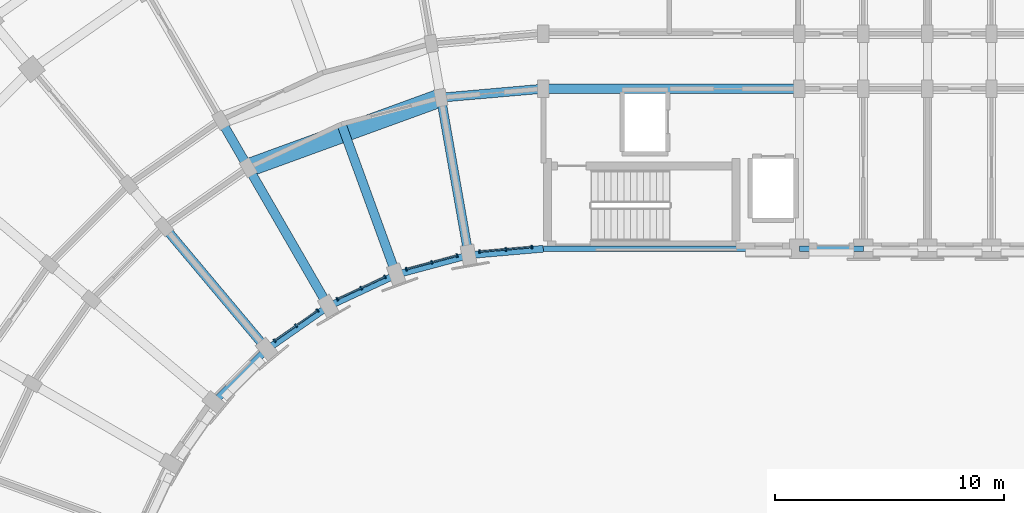
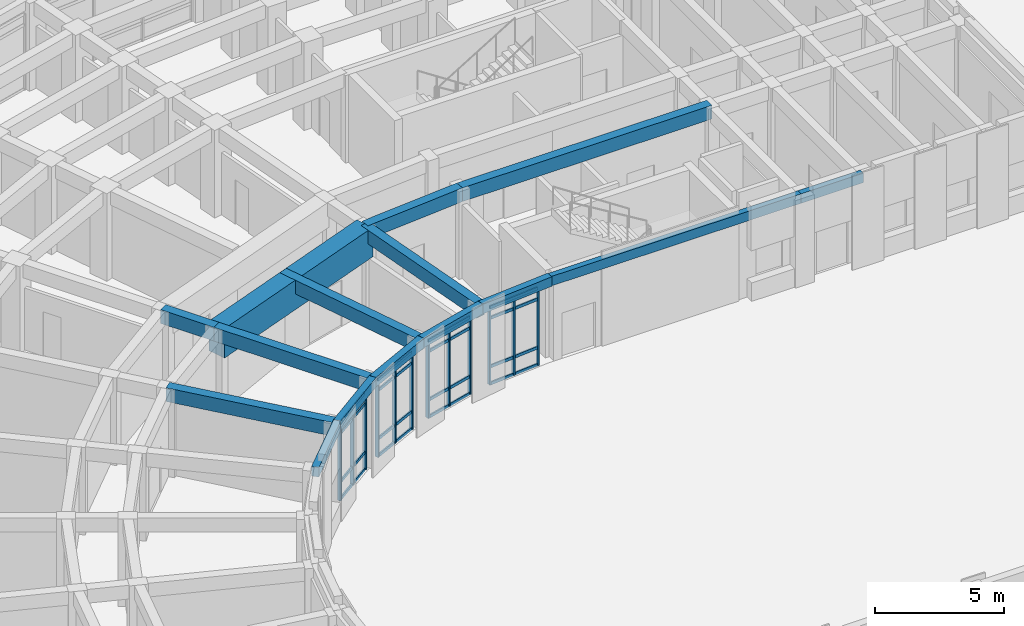
# One storey, part 40 of 135: 28 members, 15 beams, 4 elements without a shape of their own.
"""IFC4 building model written with IfcOpenShell, lengths in metres."""

from ifc_helpers import new_model, si_unit, direction, frame, origin, origin_2d, place, context, subcontext, project, spatial, rectangle, extrude, material, material_profile, profile_set, type_object, element, aggregate, save


model = new_model("IFC4")

# Units and contexts
model_context = context("Model", 3, precision=1e-05, world=origin(), true_north=direction((0.0, 1.0)))
body_context = subcontext(model_context, "Body", "Model", "MODEL_VIEW")
ifc_project = project(units=[si_unit("LENGTHUNIT", "METRE"), si_unit("AREAUNIT", "SQUARE_METRE"), si_unit("VOLUMEUNIT", "CUBIC_METRE"), si_unit("PLANEANGLEUNIT", "RADIAN"), si_unit("MASSUNIT", "GRAM", prefix="KILO")], contexts=[model_context])

# Site, building, storey
site_placement = place(None, origin())
site = spatial("IfcSite", under=ifc_project, at=site_placement, CompositionType="ELEMENT")
building_placement = place(site_placement, origin())
building = spatial("IfcBuilding", under=site, at=building_placement, Name="Kiranvali Square Residences", CompositionType="ELEMENT")
storey_placement = place(building_placement, origin())
storey = spatial("IfcBuildingStorey", under=building, at=storey_placement, Name="L00", CompositionType="ELEMENT", Elevation=0.0)

# Beams
ifc_material_1 = material(Name="Concrete M45 (45 MPa)", Category="concrete")
ifc_material_profile_1 = material_profile(ifc_material_1, rectangle(XDim=0.39990234375, YDim=0.64990234375, at=origin_2d()), Name="RC 400x650")
ifc_profile_set_1 = profile_set([ifc_material_profile_1], Name="Concrete M45 (45 MPa)")
beam_type_1 = type_object("IfcBeamType", Name="BM-M45-400x650", PredefinedType="BEAM", material=ifc_profile_set_1)
beam_1_placement = place(storey_placement, frame((48.199951171875, 113.60009765625, 3.824951171875), z_axis=(-0.996191949488, -0.087187153726, 0.0), x_axis=(0.087187153726, -0.996191949488, 0.0)))
element("IfcBeam", 1, at=beam_1_placement, inside=storey, type_object=beam_type_1, Name="L00 beam BM-A-L00-C00-R1", PredefinedType="BEAM", context=body_context, shape_type="SweptSolid", body=[
    extrude(rectangle(XDim=0.39990234375, YDim=0.64990234375, at=origin_2d()), origin(), (0.0, 0.0, 1.0), 4.4970703125),
])
beam_2_placement = place(storey_placement, frame((44.935302734375, 106.314453125, 3.824951171875), z_axis=(-0.173622177865, 0.984812337125, 0.0), x_axis=(-0.984812337125, -0.173622177865, 0.0)))
element("IfcBeam", 2, at=beam_2_placement, inside=storey, type_object=beam_type_1, Name="L00 beam BM-A-L00-RAD01-01", PredefinedType="BEAM", context=body_context, shape_type="SweptSolid", body=[
    extrude(rectangle(XDim=0.39990234375, YDim=0.64990234375, at=origin_2d()), origin(), (0.0, 0.0, 1.0), 6.999755859375),
])
for number, where, z_axis, x_axis, name in (
    (3, (41.77001953125, 105.46630859375, 3.824951171875), (-0.342006283793, 0.939697665127, 0.0), (-0.939697665127, -0.342006283793, 0.0), "L00 beam BM-A-L00-RAD02-01"),
    (4, (38.800048828125, 104.081298828125, 3.824951171875), (-0.499995173006, 0.866028190633, 0.0), (-0.866028190633, -0.499995173006, 0.0), "L00 beam BM-A-L00-RAD03-01"),
):
    element("IfcBeam", number, at=place(storey_placement, frame(where, z_axis=z_axis, x_axis=x_axis)), inside=storey, type_object=beam_type_1, Name=name, PredefinedType="BEAM", context=body_context, shape_type="SweptSolid", body=[
        extrude(rectangle(XDim=0.39990234375, YDim=0.64990234375, at=origin_2d()), origin(), (0.0, 0.0, 1.0), 7.0),
    ])
beam_3_placement = place(storey_placement, frame((35.300048828125, 110.1435546875, 3.824951171875), z_axis=(-0.500001309137, 0.866024647952, 0.0), x_axis=(-0.866024647952, -0.500001309137, 0.0)))
element("IfcBeam", 5, at=beam_3_placement, inside=storey, type_object=beam_type_1, Name="L00 beam BM-A-L00-RAD03-12", PredefinedType="BEAM", context=body_context, shape_type="SweptSolid", body=[
    extrude(rectangle(XDim=0.39990234375, YDim=0.64990234375, at=origin_2d()), origin(), (0.0, 0.0, 1.0), 2.39990234375),
])
beam_4_placement = place(storey_placement, frame((36.115478515625, 102.20166015625, 3.824951171875), z_axis=(-0.642787931032, 0.766044173478, 0.0), x_axis=(-0.766044173478, -0.642787931032, 0.0)))
element("IfcBeam", 6, at=beam_4_placement, inside=storey, type_object=beam_type_1, Name="L00 beam BM-A-L00-RAD04-01", PredefinedType="BEAM", context=body_context, shape_type="SweptSolid", body=[
    extrude(rectangle(XDim=0.39990234375, YDim=0.64990234375, at=origin_2d()), origin(), (0.0, 0.0, 1.0), 7.0),
])
beam_5_placement = place(storey_placement, frame((48.199951171875, 113.60009765625, 3.824951171875), z_axis=(1.0, 0.0, 0.0), x_axis=(0.0, 1.0, 0.0)))
element("IfcBeam", 7, at=beam_5_placement, inside=storey, type_object=beam_type_1, Name="L00 beam BM-A-L00-A1U0-R1", PredefinedType="BEAM", context=body_context, shape_type="SweptSolid", body=[
    extrude(rectangle(XDim=0.39990234375, YDim=0.64990234375, at=origin_2d()), origin(), (0.0, 0.0, 1.0), 11.199951171875),
])

# Curtain wall, members
ifc_material_2 = material(Name="Anodised bronze aluminium framing", Category="aluminium")
curtain_wall_type = type_object("IfcCurtainWallType", Name="CW-RET-SHOP", PredefinedType="USERDEFINED", material=ifc_material_2)
curtain_wall_1_placement = place(storey_placement, origin())
curtain_wall_1 = element("IfcCurtainWall", 8, at=curtain_wall_1_placement, inside=storey, type_object=curtain_wall_type, Name="Block A L00 garden foyer curtain wall 1", ObjectType="CURTAIN WALL", PredefinedType="USERDEFINED")
ifc_material_profile_2 = material_profile(ifc_material_2, rectangle(XDim=0.06494140625, YDim=0.159912109375, at=origin_2d()), Name="ALU 65x160")
ifc_profile_set_2 = profile_set([ifc_material_profile_2], Name="Anodised bronze aluminium framing")
member_type_1 = type_object("IfcMemberType", Name="CW-MUL-160", PredefinedType="MULLION", material=ifc_profile_set_2)
member_1_placement = place(storey_placement, frame((47.701416015625, 106.6767578125, 0.02001953125), z_axis=(0.0, 0.0, 1.0), x_axis=(-0.996194698092, -0.087155742748, 0.0)))
member_1 = element("IfcMember", 9, at=member_1_placement, type_object=member_type_1, Name="CW-A-L00-GDN-00 vertical mullion 1", PredefinedType="MULLION", context=body_context, shape_type="SweptSolid", body=[
    extrude(rectangle(XDim=0.06494140625, YDim=0.159912109375, at=origin_2d()), origin(), (0.0, 0.0, 1.0), 3.659912109375),
])
member_2_placement = place(storey_placement, frame((46.55712890625, 106.57666015625, 0.02001953125), z_axis=(0.0, 0.0, 1.0), x_axis=(-0.996194698092, -0.087155742748, 0.0)))
member_2 = element("IfcMember", 10, at=member_2_placement, type_object=member_type_1, Name="CW-A-L00-GDN-00 vertical mullion 2", PredefinedType="MULLION", context=body_context, shape_type="SweptSolid", body=[
    extrude(rectangle(XDim=0.06494140625, YDim=0.159912109375, at=origin_2d()), origin(), (0.0, 0.0, 1.0), 3.659912109375),
])
member_3_placement = place(storey_placement, frame((45.4130859375, 106.4765625, 0.02001953125), z_axis=(0.0, 0.0, 1.0), x_axis=(-0.996194698092, -0.087155742748, 0.0)))
member_3 = element("IfcMember", 11, at=member_3_placement, type_object=member_type_1, Name="CW-A-L00-GDN-00 vertical mullion 3", PredefinedType="MULLION", context=body_context, shape_type="SweptSolid", body=[
    extrude(rectangle(XDim=0.06494140625, YDim=0.159912109375, at=origin_2d()), origin(), (0.0, 0.0, 1.0), 3.659912109375),
])

curtain_wall_2_placement = place(storey_placement, origin())
curtain_wall_2 = element("IfcCurtainWall", 12, at=curtain_wall_2_placement, inside=storey, type_object=curtain_wall_type, Name="Block A L00 garden foyer curtain wall 2", ObjectType="CURTAIN WALL", PredefinedType="USERDEFINED")
member_4_placement = place(storey_placement, frame((44.43115234375, 106.303466796875, 0.02001953125), z_axis=(0.0, 0.0, 1.0), x_axis=(-0.965925826289, -0.258819045103, 0.0)))
member_4 = element("IfcMember", 13, at=member_4_placement, type_object=member_type_1, Name="CW-A-L00-GDN-01 vertical mullion 1", PredefinedType="MULLION", context=body_context, shape_type="SweptSolid", body=[
    extrude(rectangle(XDim=0.06494140625, YDim=0.159912109375, at=origin_2d()), origin(), (0.0, 0.0, 1.0), 3.659912109375),
])
member_5_placement = place(storey_placement, frame((43.32177734375, 106.006103515625, 0.02001953125), z_axis=(0.0, 0.0, 1.0), x_axis=(-0.965925826289, -0.258819045103, 0.0)))
member_5 = element("IfcMember", 14, at=member_5_placement, type_object=member_type_1, Name="CW-A-L00-GDN-01 vertical mullion 2", PredefinedType="MULLION", context=body_context, shape_type="SweptSolid", body=[
    extrude(rectangle(XDim=0.06494140625, YDim=0.159912109375, at=origin_2d()), origin(), (0.0, 0.0, 1.0), 3.659912109375),
])
member_6_placement = place(storey_placement, frame((42.212158203125, 105.708984375, 0.02001953125), z_axis=(0.0, 0.0, 1.0), x_axis=(-0.965925826289, -0.258819045103, 0.0)))
member_6 = element("IfcMember", 15, at=member_6_placement, type_object=member_type_1, Name="CW-A-L00-GDN-01 vertical mullion 3", PredefinedType="MULLION", context=body_context, shape_type="SweptSolid", body=[
    extrude(rectangle(XDim=0.06494140625, YDim=0.159912109375, at=origin_2d()), origin(), (0.0, 0.0, 1.0), 3.659912109375),
])

curtain_wall_3_placement = place(storey_placement, origin())
curtain_wall_3 = element("IfcCurtainWall", 16, at=curtain_wall_3_placement, inside=storey, type_object=curtain_wall_type, Name="Block A L00 garden foyer curtain wall 3", ObjectType="CURTAIN WALL", PredefinedType="USERDEFINED")
member_7_placement = place(storey_placement, frame((41.275146484375, 105.367919921875, 0.02001953125), z_axis=(0.0, 0.0, 1.0), x_axis=(-0.906307787037, -0.422618261741, 0.0)))
member_7 = element("IfcMember", 17, at=member_7_placement, type_object=member_type_1, Name="CW-A-L00-GDN-02 vertical mullion 1", PredefinedType="MULLION", context=body_context, shape_type="SweptSolid", body=[
    extrude(rectangle(XDim=0.06494140625, YDim=0.159912109375, at=origin_2d()), origin(), (0.0, 0.0, 1.0), 3.659912109375),
])
member_8_placement = place(storey_placement, frame((40.234375, 104.882568359375, 0.02001953125), z_axis=(0.0, 0.0, 1.0), x_axis=(-0.906307787037, -0.422618261741, 0.0)))
member_8 = element("IfcMember", 18, at=member_8_placement, type_object=member_type_1, Name="CW-A-L00-GDN-02 vertical mullion 2", PredefinedType="MULLION", context=body_context, shape_type="SweptSolid", body=[
    extrude(rectangle(XDim=0.06494140625, YDim=0.159912109375, at=origin_2d()), origin(), (0.0, 0.0, 1.0), 3.659912109375),
])
member_9_placement = place(storey_placement, frame((39.193359375, 104.397216796875, 0.02001953125), z_axis=(0.0, 0.0, 1.0), x_axis=(-0.906307787037, -0.422618261741, 0.0)))
member_9 = element("IfcMember", 19, at=member_9_placement, type_object=member_type_1, Name="CW-A-L00-GDN-02 vertical mullion 3", PredefinedType="MULLION", context=body_context, shape_type="SweptSolid", body=[
    extrude(rectangle(XDim=0.06494140625, YDim=0.159912109375, at=origin_2d()), origin(), (0.0, 0.0, 1.0), 3.659912109375),
])

curtain_wall_4_placement = place(storey_placement, origin())
curtain_wall_4 = element("IfcCurtainWall", 20, at=curtain_wall_4_placement, inside=storey, type_object=curtain_wall_type, Name="Block A L00 garden foyer curtain wall 4", ObjectType="CURTAIN WALL", PredefinedType="USERDEFINED")
member_10_placement = place(storey_placement, frame((38.329833984375, 103.8984375, 0.02001953125), z_axis=(0.0, 0.0, 1.0), x_axis=(-0.819152044289, -0.573576436351, 0.0)))
member_10 = element("IfcMember", 21, at=member_10_placement, type_object=member_type_1, Name="CW-A-L00-GDN-03 vertical mullion 1", PredefinedType="MULLION", context=body_context, shape_type="SweptSolid", body=[
    extrude(rectangle(XDim=0.06494140625, YDim=0.159912109375, at=origin_2d()), origin(), (0.0, 0.0, 1.0), 3.659912109375),
])
member_11_placement = place(storey_placement, frame((37.388916015625, 103.23974609375, 0.02001953125), z_axis=(0.0, 0.0, 1.0), x_axis=(-0.819152044289, -0.573576436351, 0.0)))
member_11 = element("IfcMember", 22, at=member_11_placement, type_object=member_type_1, Name="CW-A-L00-GDN-03 vertical mullion 2", PredefinedType="MULLION", context=body_context, shape_type="SweptSolid", body=[
    extrude(rectangle(XDim=0.06494140625, YDim=0.159912109375, at=origin_2d()), origin(), (0.0, 0.0, 1.0), 3.659912109375),
])
member_12_placement = place(storey_placement, frame((36.4482421875, 102.5810546875, 0.02001953125), z_axis=(0.0, 0.0, 1.0), x_axis=(-0.819152044289, -0.573576436351, 0.0)))
member_12 = element("IfcMember", 23, at=member_12_placement, type_object=member_type_1, Name="CW-A-L00-GDN-03 vertical mullion 3", PredefinedType="MULLION", context=body_context, shape_type="SweptSolid", body=[
    extrude(rectangle(XDim=0.06494140625, YDim=0.159912109375, at=origin_2d()), origin(), (0.0, 0.0, 1.0), 3.659912109375),
])

# Member
ifc_material_profile_3 = material_profile(ifc_material_2, rectangle(XDim=0.06494140625, YDim=0.139892578125, at=origin_2d()), Name="ALU 65x140")
ifc_profile_set_3 = profile_set([ifc_material_profile_3], Name="Anodised bronze aluminium framing")
member_type_2 = type_object("IfcMemberType", Name="CW-TRN-140", PredefinedType="MULLION", material=ifc_profile_set_3)
member_13_placement = place(storey_placement, frame((47.69140625, 106.676025390625, 0.0400390625), z_axis=(-0.996193368341, -0.08717094053, 0.0), x_axis=(0.08717094053, -0.996193368341, 0.0)))
member_13 = element("IfcMember", 24, at=member_13_placement, type_object=member_type_2, Name="CW-A-L00-GDN-00 horizontal transom 1", PredefinedType="MULLION", context=body_context, shape_type="SweptSolid", body=[
    extrude(rectangle(XDim=0.06494140625, YDim=0.139892578125, at=origin_2d()), origin(), (0.0, 0.0, 1.0), 2.277099609375),
])

member_14_placement = place(storey_placement, frame((47.69140625, 106.676025390625, 0.85009765625), z_axis=(-0.996193368341, -0.08717094053, 0.0), x_axis=(0.08717094053, -0.996193368341, 0.0)))
member_14 = element("IfcMember", 25, at=member_14_placement, type_object=member_type_2, Name="CW-A-L00-GDN-00 horizontal transom 2", PredefinedType="MULLION", context=body_context, shape_type="SweptSolid", body=[
    extrude(rectangle(XDim=0.06494140625, YDim=0.139892578125, at=origin_2d()), origin(), (0.0, 0.0, 1.0), 2.277099609375),
])

member_15_placement = place(storey_placement, frame((47.69140625, 106.676025390625, 3.14990234375), z_axis=(-0.996193368341, -0.08717094053, 0.0), x_axis=(0.08717094053, -0.996193368341, 0.0)))
member_15 = element("IfcMember", 26, at=member_15_placement, type_object=member_type_2, Name="CW-A-L00-GDN-00 horizontal transom 3", PredefinedType="MULLION", context=body_context, shape_type="SweptSolid", body=[
    extrude(rectangle(XDim=0.06494140625, YDim=0.139892578125, at=origin_2d()), origin(), (0.0, 0.0, 1.0), 2.277099609375),
])

member_16_placement = place(storey_placement, frame((47.69140625, 106.676025390625, 3.659912109375), z_axis=(-0.996193368341, -0.08717094053, 0.0), x_axis=(0.08717094053, -0.996193368341, 0.0)))
member_16 = element("IfcMember", 27, at=member_16_placement, type_object=member_type_2, Name="CW-A-L00-GDN-00 horizontal transom 4", PredefinedType="MULLION", context=body_context, shape_type="SweptSolid", body=[
    extrude(rectangle(XDim=0.06494140625, YDim=0.139892578125, at=origin_2d()), origin(), (0.0, 0.0, 1.0), 2.277099609375),
])

aggregate(curtain_wall_1, [member_1, member_2, member_3, member_13, member_14, member_15, member_16])

member_17_placement = place(storey_placement, frame((44.42138671875, 106.30078125, 0.0400390625), z_axis=(-0.965924600635, -0.258823619262, 0.0), x_axis=(0.258823619262, -0.965924600635, 0.0)))
member_17 = element("IfcMember", 28, at=member_17_placement, type_object=member_type_2, Name="CW-A-L00-GDN-01 horizontal transom 1", PredefinedType="MULLION", context=body_context, shape_type="SweptSolid", body=[
    extrude(rectangle(XDim=0.06494140625, YDim=0.139892578125, at=origin_2d()), origin(), (0.0, 0.0, 1.0), 2.277099609375),
])

member_18_placement = place(storey_placement, frame((44.42138671875, 106.30078125, 0.85009765625), z_axis=(-0.965924600635, -0.258823619262, 0.0), x_axis=(0.258823619262, -0.965924600635, 0.0)))
member_18 = element("IfcMember", 29, at=member_18_placement, type_object=member_type_2, Name="CW-A-L00-GDN-01 horizontal transom 2", PredefinedType="MULLION", context=body_context, shape_type="SweptSolid", body=[
    extrude(rectangle(XDim=0.06494140625, YDim=0.139892578125, at=origin_2d()), origin(), (0.0, 0.0, 1.0), 2.277099609375),
])

member_19_placement = place(storey_placement, frame((44.42138671875, 106.30078125, 3.14990234375), z_axis=(-0.965924600635, -0.258823619262, 0.0), x_axis=(0.258823619262, -0.965924600635, 0.0)))
member_19 = element("IfcMember", 30, at=member_19_placement, type_object=member_type_2, Name="CW-A-L00-GDN-01 horizontal transom 3", PredefinedType="MULLION", context=body_context, shape_type="SweptSolid", body=[
    extrude(rectangle(XDim=0.06494140625, YDim=0.139892578125, at=origin_2d()), origin(), (0.0, 0.0, 1.0), 2.277099609375),
])

member_20_placement = place(storey_placement, frame((44.42138671875, 106.30078125, 3.659912109375), z_axis=(-0.965924600635, -0.258823619262, 0.0), x_axis=(0.258823619262, -0.965924600635, 0.0)))
member_20 = element("IfcMember", 31, at=member_20_placement, type_object=member_type_2, Name="CW-A-L00-GDN-01 horizontal transom 4", PredefinedType="MULLION", context=body_context, shape_type="SweptSolid", body=[
    extrude(rectangle(XDim=0.06494140625, YDim=0.139892578125, at=origin_2d()), origin(), (0.0, 0.0, 1.0), 2.277099609375),
])

aggregate(curtain_wall_2, [member_4, member_5, member_6, member_17, member_18, member_19, member_20])

member_21_placement = place(storey_placement, frame((41.26611328125, 105.36376953125, 0.0400390625), z_axis=(-0.906295410754, -0.42264480175, 0.0), x_axis=(0.42264480175, -0.906295410754, 0.0)))
member_21 = element("IfcMember", 32, at=member_21_placement, type_object=member_type_2, Name="CW-A-L00-GDN-02 horizontal transom 1", PredefinedType="MULLION", context=body_context, shape_type="SweptSolid", body=[
    extrude(rectangle(XDim=0.06494140625, YDim=0.139892578125, at=origin_2d()), origin(), (0.0, 0.0, 1.0), 2.277099609375),
])

member_22_placement = place(storey_placement, frame((41.26611328125, 105.36376953125, 0.85009765625), z_axis=(-0.906295410754, -0.42264480175, 0.0), x_axis=(0.42264480175, -0.906295410754, 0.0)))
member_22 = element("IfcMember", 33, at=member_22_placement, type_object=member_type_2, Name="CW-A-L00-GDN-02 horizontal transom 2", PredefinedType="MULLION", context=body_context, shape_type="SweptSolid", body=[
    extrude(rectangle(XDim=0.06494140625, YDim=0.139892578125, at=origin_2d()), origin(), (0.0, 0.0, 1.0), 2.277099609375),
])

member_23_placement = place(storey_placement, frame((41.26611328125, 105.36376953125, 3.14990234375), z_axis=(-0.906295410754, -0.42264480175, 0.0), x_axis=(0.42264480175, -0.906295410754, 0.0)))
member_23 = element("IfcMember", 34, at=member_23_placement, type_object=member_type_2, Name="CW-A-L00-GDN-02 horizontal transom 3", PredefinedType="MULLION", context=body_context, shape_type="SweptSolid", body=[
    extrude(rectangle(XDim=0.06494140625, YDim=0.139892578125, at=origin_2d()), origin(), (0.0, 0.0, 1.0), 2.277099609375),
])

member_24_placement = place(storey_placement, frame((41.26611328125, 105.36376953125, 3.659912109375), z_axis=(-0.906295410754, -0.42264480175, 0.0), x_axis=(0.42264480175, -0.906295410754, 0.0)))
member_24 = element("IfcMember", 35, at=member_24_placement, type_object=member_type_2, Name="CW-A-L00-GDN-02 horizontal transom 4", PredefinedType="MULLION", context=body_context, shape_type="SweptSolid", body=[
    extrude(rectangle(XDim=0.06494140625, YDim=0.139892578125, at=origin_2d()), origin(), (0.0, 0.0, 1.0), 2.277099609375),
])

aggregate(curtain_wall_3, [member_7, member_8, member_9, member_21, member_22, member_23, member_24])

member_25_placement = place(storey_placement, frame((38.321533203125, 103.892822265625, 0.0400390625), z_axis=(-0.819131167898, -0.573606249772, 0.0), x_axis=(0.573606249772, -0.819131167898, 0.0)))
member_25 = element("IfcMember", 36, at=member_25_placement, type_object=member_type_2, Name="CW-A-L00-GDN-03 horizontal transom 1", PredefinedType="MULLION", context=body_context, shape_type="SweptSolid", body=[
    extrude(rectangle(XDim=0.06494140625, YDim=0.139892578125, at=origin_2d()), origin(), (0.0, 0.0, 1.0), 2.277099609375),
])

member_26_placement = place(storey_placement, frame((38.321533203125, 103.892822265625, 0.85009765625), z_axis=(-0.819131167898, -0.573606249772, 0.0), x_axis=(0.573606249772, -0.819131167898, 0.0)))
member_26 = element("IfcMember", 37, at=member_26_placement, type_object=member_type_2, Name="CW-A-L00-GDN-03 horizontal transom 2", PredefinedType="MULLION", context=body_context, shape_type="SweptSolid", body=[
    extrude(rectangle(XDim=0.06494140625, YDim=0.139892578125, at=origin_2d()), origin(), (0.0, 0.0, 1.0), 2.277099609375),
])

member_27_placement = place(storey_placement, frame((38.321533203125, 103.892822265625, 3.14990234375), z_axis=(-0.819131167898, -0.573606249772, 0.0), x_axis=(0.573606249772, -0.819131167898, 0.0)))
member_27 = element("IfcMember", 38, at=member_27_placement, type_object=member_type_2, Name="CW-A-L00-GDN-03 horizontal transom 3", PredefinedType="MULLION", context=body_context, shape_type="SweptSolid", body=[
    extrude(rectangle(XDim=0.06494140625, YDim=0.139892578125, at=origin_2d()), origin(), (0.0, 0.0, 1.0), 2.277099609375),
])

member_28_placement = place(storey_placement, frame((38.321533203125, 103.892822265625, 3.659912109375), z_axis=(-0.819131167898, -0.573606249772, 0.0), x_axis=(0.573606249772, -0.819131167898, 0.0)))
member_28 = element("IfcMember", 39, at=member_28_placement, type_object=member_type_2, Name="CW-A-L00-GDN-03 horizontal transom 4", PredefinedType="MULLION", context=body_context, shape_type="SweptSolid", body=[
    extrude(rectangle(XDim=0.06494140625, YDim=0.139892578125, at=origin_2d()), origin(), (0.0, 0.0, 1.0), 2.277099609375),
])

aggregate(curtain_wall_4, [member_10, member_11, member_12, member_25, member_26, member_27, member_28])

# Beams
ifc_material_3 = material(Name="Concrete M40 (40 MPa)", Category="concrete")
ifc_material_profile_4 = material_profile(ifc_material_3, rectangle(XDim=0.25, YDim=0.449951171875, at=origin_2d()), Name="RC 250x450")
ifc_profile_set_4 = profile_set([ifc_material_profile_4], Name="Concrete M40 (40 MPa)")
beam_type_2 = type_object("IfcBeamType", Name="SPN-M40-250x450", PredefinedType="SPANDREL", material=ifc_profile_set_4)
beam_6_placement = place(storey_placement, frame((48.199951171875, 106.60009765625, 3.925048828125), z_axis=(1.0, 0.0, 0.0), x_axis=(0.0, 1.0, 0.0)))
element("IfcBeam", 40, at=beam_6_placement, inside=storey, type_object=beam_type_2, Name="L00 beam BM-A-L00-A1U0-R0", PredefinedType="SPANDREL", context=body_context, shape_type="SweptSolid", body=[
    extrude(rectangle(XDim=0.25, YDim=0.449951171875, at=origin_2d()), origin(), (0.0, 0.0, 1.0), 11.199951171875),
])
beam_7_placement = place(storey_placement, frame((59.39990234375, 106.60009765625, 3.925048828125), z_axis=(1.0, 0.0, 0.0), x_axis=(0.0, 1.0, 0.0)))
element("IfcBeam", 41, at=beam_7_placement, inside=storey, type_object=beam_type_2, Name="L00 beam BM-A-L00-A1U1-R0", PredefinedType="SPANDREL", context=body_context, shape_type="SweptSolid", body=[
    extrude(rectangle(XDim=0.25, YDim=0.449951171875, at=origin_2d()), origin(), (0.0, 0.0, 1.0), 2.800048828125),
])
ifc_material_profile_5 = material_profile(ifc_material_3, rectangle(XDim=0.300048828125, YDim=0.449951171875, at=origin_2d()), Name="RC 300x450")
ifc_profile_set_5 = profile_set([ifc_material_profile_5], Name="Concrete M40 (40 MPa)")
beam_type_3 = type_object("IfcBeamType", Name="SPN-M40-300x450", PredefinedType="SPANDREL", material=ifc_profile_set_5)
beam_8_placement = place(storey_placement, frame((48.199951171875, 106.60009765625, 3.925048828125), z_axis=(-0.996194040944, -0.087163253657, 0.0), x_axis=(0.087163253657, -0.996194040944, 0.0)))
element("IfcBeam", 42, at=beam_8_placement, inside=storey, type_object=beam_type_3, Name="L00 beam BM-A-L00-C00-R0", PredefinedType="SPANDREL", context=body_context, shape_type="SweptSolid", body=[
    extrude(rectangle(XDim=0.300048828125, YDim=0.449951171875, at=origin_2d()), origin(), (0.0, 0.0, 1.0), 3.277099609375),
])
beam_9_placement = place(storey_placement, frame((44.935302734375, 106.314453125, 3.925048828125), z_axis=(-0.965925105099, -0.258821736607, 0.0), x_axis=(0.258821736607, -0.965925105099, 0.0)))
element("IfcBeam", 43, at=beam_9_placement, inside=storey, type_object=beam_type_3, Name="L00 beam BM-A-L00-C01-R0", PredefinedType="SPANDREL", context=body_context, shape_type="SweptSolid", body=[
    extrude(rectangle(XDim=0.300048828125, YDim=0.449951171875, at=origin_2d()), origin(), (0.0, 0.0, 1.0), 3.27685546875),
])
for number, where, z_axis, x_axis, name in (
    (44, (41.77001953125, 105.46630859375, 3.925048828125), (-0.90629730464, -0.422640740585, 0.0), (0.422640740585, -0.90629730464, 0.0), "L00 beam BM-A-L00-C02-R0"),
    (45, (38.800048828125, 104.081298828125, 3.925048828125), (-0.81916891812, -0.573552337269, 0.0), (0.573552337269, -0.81916891812, 0.0), "L00 beam BM-A-L00-C03-R0"),
):
    element("IfcBeam", number, at=place(storey_placement, frame(where, z_axis=z_axis, x_axis=x_axis)), inside=storey, type_object=beam_type_3, Name=name, PredefinedType="SPANDREL", context=body_context, shape_type="SweptSolid", body=[
        extrude(rectangle(XDim=0.300048828125, YDim=0.449951171875, at=origin_2d()), origin(), (0.0, 0.0, 1.0), 3.277099609375),
    ])
beam_10_placement = place(storey_placement, frame((36.115478515625, 102.20166015625, 3.925048828125), z_axis=(-0.707106781187, -0.707106781187, 0.0), x_axis=(0.707106781187, -0.707106781187, 0.0)))
element("IfcBeam", 46, at=beam_10_placement, inside=storey, type_object=beam_type_3, Name="L00 beam BM-A-L00-C04-R0", PredefinedType="SPANDREL", context=body_context, shape_type="SweptSolid", body=[
    extrude(rectangle(XDim=0.300048828125, YDim=0.449951171875, at=origin_2d()), origin(), (0.0, 0.0, 1.0), 3.27685546875),
])
ifc_material_4 = material(Name="Concrete M50 (50 MPa)", Category="concrete")
ifc_material_profile_6 = material_profile(ifc_material_4, rectangle(XDim=0.800048828125, YDim=1.39990234375, at=origin_2d()), Name="RC 800x1400")
ifc_profile_set_6 = profile_set([ifc_material_profile_6], Name="Concrete M50 (50 MPa)")
beam_type_4 = type_object("IfcBeamType", Name="TG-M50-800x1400", PredefinedType="USERDEFINED", material=ifc_profile_set_6)
beam_11_placement = place(storey_placement, frame((43.719970703125, 113.2080078125, 3.449951171875), z_axis=(-0.939697922535, -0.342005576538, 0.0), x_axis=(0.342005576538, -0.939697922535, 0.0)))
element("IfcBeam", 47, at=beam_11_placement, inside=storey, type_object=beam_type_4, Name="Block A foyer transfer girder TG-R1", ObjectType="TRANSFER GIRDER", PredefinedType="USERDEFINED", context=body_context, shape_type="SweptSolid", body=[
    extrude(rectangle(XDim=0.800048828125, YDim=1.39990234375, at=origin_2d()), origin(), (0.0, 0.0, 1.0), 8.960205078125),
])

save(model, "model.ifc")
